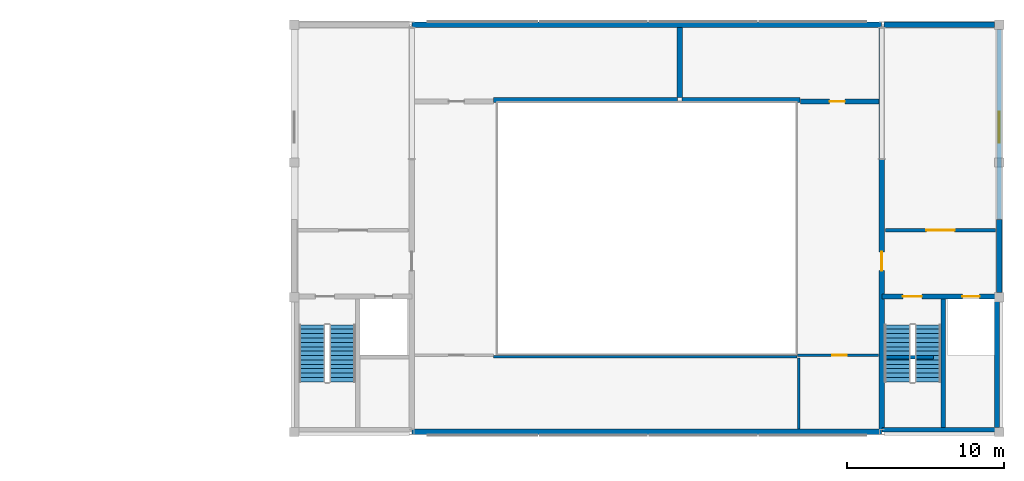
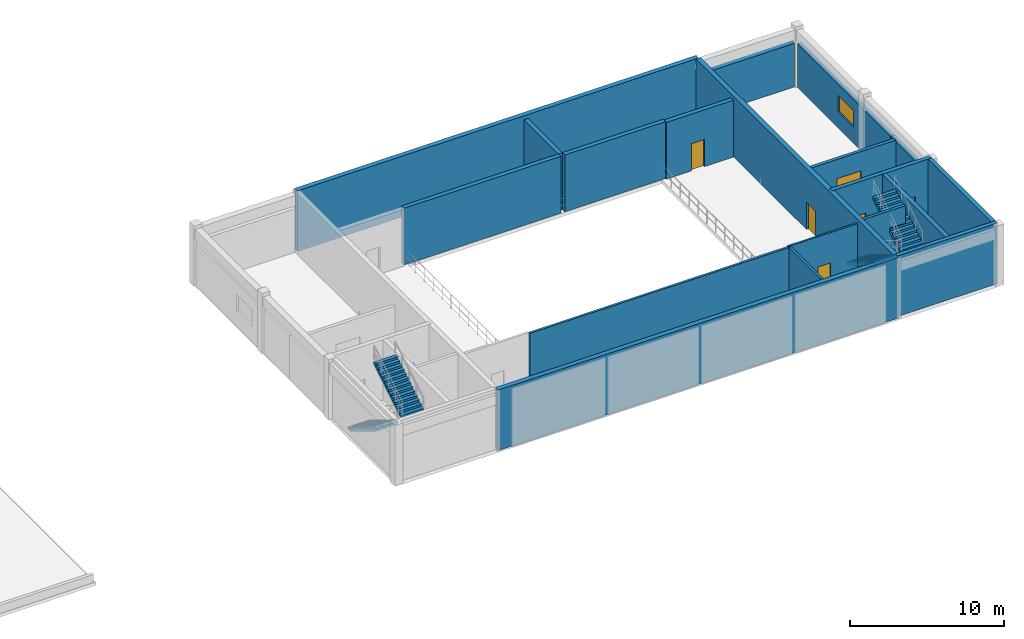
# One storey, part 7 of 9: 19 walls, 6 doors, 4 stair flights, 1 window, 7 openings, 2 elements without a shape of their own.
"""IFC4 building model written with IfcOpenShell, lengths in metres."""

from ifc_helpers import new_model, si_unit, direction, frame, frame_2d, origin, place, context, subcontext, project, spatial, polyline, rectangle, outline, extrude, material, layer, layer_set, type_object, element, fill, aggregate, save


model = new_model("IFC4")

# Units and contexts
model_context = context("Model", 3, precision=1e-05, world=origin(), true_north=direction((0.0, 1.0)))
body_context = subcontext(model_context, "Body", "Model", "MODEL_VIEW")
ifc_project = project(units=[si_unit("LENGTHUNIT", "METRE"), si_unit("AREAUNIT", "SQUARE_METRE"), si_unit("VOLUMEUNIT", "CUBIC_METRE"), si_unit("PLANEANGLEUNIT", "RADIAN"), si_unit("MASSUNIT", "GRAM", prefix="KILO")], contexts=[model_context])

# Site, building, storey
site_placement = place(None, origin())
site = spatial("IfcSite", under=ifc_project, at=site_placement, CompositionType="ELEMENT")
building_placement = place(site_placement, origin())
building = spatial("IfcBuilding", under=site, at=building_placement, Name="Muzn Square Opera House", CompositionType="ELEMENT")
storey_placement = place(building_placement, frame((0.0, 0.0, 23.39990234375)))
storey = spatial("IfcBuildingStorey", under=building, at=storey_placement, Name="L05", CompositionType="ELEMENT", Elevation=23.39990234375)

# Wall
ifc_material_1 = material(Name="Acoustic gypsum stud partition", Category="gypsum")
ifc_layer_1 = layer(ifc_material_1, 0.320068359375, Name="Acoustic gypsum stud partition", Category="gypsum")
ifc_layer_set_1 = layer_set([ifc_layer_1], Name="Acoustic gypsum stud partition")
wall_type_1 = type_object("IfcWallType", Name="Acoustic Studio Double Wall 320mm", PredefinedType="PARTITIONING", material=ifc_layer_set_1)
wall_1_placement = place(storey_placement, frame((90.10009765625, 93.945068359375, 0.0), z_axis=(0.0, 0.0, 1.0), x_axis=(0.0, 1.0, 0.0)))
element("IfcWall", 1, at=wall_1_placement, inside=storey, type_object=wall_type_1, Name="Interior Partition PW-L05-0416", PredefinedType="PARTITIONING", context=body_context, shape_type="SweptSolid", body=[
    extrude(rectangle(XDim=4.474853515625, YDim=0.320068359375, at=frame_2d((2.2373046875, 0.0))), origin(), (0.0, 0.0, 1.0), 4.5),
])

# Wall, opening, door
wall_2_placement = place(storey_placement, frame((97.800048828125, 93.699951171875, 0.0), z_axis=(0.0, 0.0, 1.0), x_axis=(1.0, 0.0, 0.0)))
wall_2 = element("IfcWall", 2, at=wall_2_placement, inside=storey, type_object=wall_type_1, Name="Interior Partition PW-L05-0418", PredefinedType="PARTITIONING", context=body_context, shape_type="SweptSolid", body=[
    extrude(rectangle(XDim=5.02001953125, YDim=0.320068359375, at=frame_2d((2.510009765625, 0.0))), origin(), (0.0, 0.0, 1.0), 4.5),
])
opening_1_placement = place(wall_2_placement, frame((1.860107421875, 0.0, 0.0)))
opening_1 = element("IfcOpeningElement", 3, at=opening_1_placement, cuts=wall_2, Name="Opening DR-TS98", PredefinedType="OPENING", context=body_context, shape_type="SweptSolid", body=[
    extrude(rectangle(XDim=0.97998046875, YDim=2.14990234375, at=frame_2d((0.489990234375, 1.074951171875))), frame((0.0, 0.169921875, 0.0), z_axis=(0.0, -1.0, 0.0), x_axis=(1.0, 0.0, 0.0)), (0.0, 0.0, 1.0), 0.340087890625),
])
ifc_material_2 = material(Name="Acoustic hardwood leaf", Category="wood")
door_type_1 = type_object("IfcDoorType", Name="Technical Studio Door 980x2150", OperationType="NOTDEFINED", PredefinedType="DOOR", material=ifc_material_2)
door_1_placement = place(opening_1_placement, origin())
door_1 = element("IfcDoor", 4, at=door_1_placement, inside=storey, type_object=door_type_1, Name="Followspot and Projection Studio Door DR-L05-0128", OperationType="SINGLE_SWING_LEFT", OverallHeight=2.14990234375, OverallWidth=0.97998046875, PredefinedType="DOOR", context=body_context, shape_type="SweptSolid", body=[
    extrude(rectangle(XDim=0.97998046875, YDim=2.14990234375, at=frame_2d((0.489990234375, 1.074951171875))), frame((0.0, 0.02490234375, 0.0), z_axis=(0.0, -1.0, 0.0), x_axis=(1.0, 0.0, 0.0)), (0.0, 0.0, 1.0), 0.050048828125),
])
fill(opening_1, door_1)

# Walls
wall_3_placement = place(storey_placement, frame((78.219970703125, 93.800048828125, 0.0), z_axis=(0.0, 0.0, 1.0), x_axis=(1.0, 0.0, 0.0)))
element("IfcWall", 5, at=wall_3_placement, inside=storey, type_object=wall_type_1, Name="Room Enclosure Partition PW-L05-0421", PredefinedType="PARTITIONING", context=body_context, shape_type="SweptSolid", body=[
    extrude(rectangle(XDim=11.735107421875, YDim=0.320068359375, at=frame_2d((5.86767578125, 0.0))), origin(), (0.0, 0.0, 1.0), 4.5),
])
wall_4_placement = place(storey_placement, frame((90.2451171875, 93.800048828125, 0.0), z_axis=(0.0, 0.0, 1.0), x_axis=(1.0, 0.0, 0.0)))
element("IfcWall", 6, at=wall_4_placement, inside=storey, type_object=wall_type_1, Name="Room Enclosure Partition PW-L05-0422", PredefinedType="PARTITIONING", context=body_context, shape_type="SweptSolid", body=[
    extrude(rectangle(XDim=7.534912109375, YDim=0.320068359375, at=frame_2d((3.767578125, 0.0))), origin(), (0.0, 0.0, 1.0), 4.5),
])
ifc_material_3 = material(Name="Concrete C45/55", Category="concrete")
ifc_layer_2 = layer(ifc_material_3, 0.300048828125, Name="Concrete C45/55", Category="concrete")
ifc_layer_set_2 = layer_set([ifc_layer_2], Name="Concrete C45/55")
wall_type_2 = type_object("IfcWallType", Name="Core Shear Wall 300mm", PredefinedType="SHEAR", material=ifc_layer_set_2)
for number, where, z_axis, x_axis, name in (
    (7, (110.35009765625, 72.89990234375, 0.0), (0.0, 0.0, 1.0), (0.0, 1.0, 0.0), "Core C2 Shear Wall SW-C2-L05-E"),
    (8, (106.919921875, 72.89990234375, 0.0), (0.0, 0.0, 1.0), (0.0, 1.0, 0.0), "Core C2 Shear Wall SW-C2-L05-DIV"),
):
    element("IfcWall", number, at=place(storey_placement, frame(where, z_axis=z_axis, x_axis=x_axis)), inside=storey, type_object=wall_type_2, Name=name, PredefinedType="SHEAR", context=body_context, shape_type="SweptSolid", body=[
        extrude(rectangle(XDim=8.2001953125, YDim=0.300048828125, at=frame_2d((4.10009765625, 0.0))), origin(), (0.0, 0.0, 1.0), 4.800048828125),
    ])

# Wall, openings, doors
wall_5_placement = place(storey_placement, frame((103.0, 81.25, 0.0), z_axis=(0.0, 0.0, 1.0), x_axis=(1.0, 0.0, 0.0)))
wall_5 = element("IfcWall", 9, at=wall_5_placement, inside=storey, type_object=wall_type_2, Name="Core C2 Front Shear Wall L05", PredefinedType="SHEAR", context=body_context, shape_type="SweptSolid", body=[
    extrude(rectangle(XDim=7.5, YDim=0.300048828125, at=frame_2d((3.75, 0.0))), origin(), (0.0, 0.0, 1.0), 4.800048828125),
])
opening_2_placement = place(wall_5_placement, frame((1.35009765625, 0.0, 0.0)))
opening_2 = element("IfcOpeningElement", 10, at=opening_2_placement, cuts=wall_5, Name="Opening DR-ST12", PredefinedType="OPENING", context=body_context, shape_type="SweptSolid", body=[
    extrude(rectangle(XDim=1.199951171875, YDim=2.14990234375, at=frame_2d((0.60009765625, 1.074951171875))), frame((0.0, 0.159912109375, 0.0), z_axis=(0.0, -1.0, 0.0), x_axis=(1.0, 0.0, 0.0)), (0.0, 0.0, 1.0), 0.320068359375),
])
opening_3_placement = place(wall_5_placement, frame((5.14990234375, 0.0, 0.0)))
opening_3 = element("IfcOpeningElement", 11, at=opening_3_placement, cuts=wall_5, Name="Opening LD-01", PredefinedType="OPENING", context=body_context, shape_type="SweptSolid", body=[
    extrude(rectangle(XDim=1.10009765625, YDim=2.14990234375, at=frame_2d((0.550048828125, 1.074951171875))), frame((0.0, 0.159912109375, 0.0), z_axis=(0.0, -1.0, 0.0), x_axis=(1.0, 0.0, 0.0)), (0.0, 0.0, 1.0), 0.320068359375),
])
ifc_material_4 = material(Name="Galvanised painted steel leaf", Category="metal")
door_type_2 = type_object("IfcDoorType", Name="Core Stair Fire Door 1200x2150", OperationType="NOTDEFINED", PredefinedType="DOOR", material=ifc_material_4)
door_2_placement = place(opening_2_placement, origin())
door_2 = element("IfcDoor", 12, at=door_2_placement, inside=storey, type_object=door_type_2, Name="Core C2 Stair Door L05", OperationType="SINGLE_SWING_LEFT", OverallHeight=2.14990234375, OverallWidth=1.199951171875, PredefinedType="DOOR", context=body_context, shape_type="SweptSolid", body=[
    extrude(rectangle(XDim=1.199951171875, YDim=2.14990234375, at=frame_2d((0.60009765625, 1.074951171875))), frame((0.0, 0.02490234375, 0.0), z_axis=(0.0, -1.0, 0.0), x_axis=(1.0, 0.0, 0.0)), (0.0, 0.0, 1.0), 0.050048828125),
])
fill(opening_2, door_2)
ifc_material_5 = material(Name="Brushed stainless steel", Category="metal")
door_type_3 = type_object("IfcDoorType", Name="Lift Landing Sliding Door 1100x2150", OperationType="SLIDING_TO_LEFT", PredefinedType="DOOR", material=ifc_material_5)
door_3_placement = place(opening_3_placement, origin())
door_3 = element("IfcDoor", 13, at=door_3_placement, inside=storey, type_object=door_type_3, Name="Lift FFL-2 Sliding Landing Door L05", OperationType="SLIDING_TO_LEFT", OverallHeight=2.14990234375, OverallWidth=1.10009765625, PredefinedType="DOOR", context=body_context, shape_type="SweptSolid", body=[
    extrude(rectangle(XDim=1.10009765625, YDim=2.14990234375, at=frame_2d((0.550048828125, 1.074951171875))), frame((0.0, 0.02490234375, 0.0), z_axis=(0.0, -1.0, 0.0), x_axis=(1.0, 0.0, 0.0)), (0.0, 0.0, 1.0), 0.050048828125),
])
fill(opening_3, door_3)

# Wall
wall_6_placement = place(storey_placement, frame((103.014892578125, 72.75, 0.0), z_axis=(0.0, 0.0, 1.0), x_axis=(1.0, 0.0, 0.0)))
element("IfcWall", 14, at=wall_6_placement, inside=storey, type_object=wall_type_2, Name="Core C2 Shear Wall SW-C2-L05-S", PredefinedType="SHEAR", context=body_context, shape_type="SweptSolid", body=[
    extrude(rectangle(XDim=7.485107421875, YDim=0.300048828125, at=frame_2d((3.74267578125, 0.0))), origin(), (0.0, 0.0, 1.0), 4.800048828125),
])

# Wall, opening, window
ifc_material_6 = material(Name="Concrete C40/50", Category="concrete")
ifc_layer_3 = layer(ifc_material_6, 0.31005859375, Name="Concrete C40/50", Category="concrete")
ifc_layer_set_3 = layer_set([ifc_layer_3], Name="Concrete C40/50")
wall_type_3 = type_object("IfcWallType", Name="Exterior Gallery Facade Wall 310mm", PredefinedType="SOLIDWALL", material=ifc_layer_set_3)
wall_7_placement = place(storey_placement, frame((110.5, 86.199951171875, 0.0), z_axis=(0.0, 0.0, 1.0), x_axis=(0.0, 1.0, 0.0)))
wall_7 = element("IfcWall", 15, at=wall_7_placement, inside=storey, type_object=wall_type_3, Name="Exterior Facade Wall EW-L05-101", PredefinedType="SOLIDWALL", context=body_context, shape_type="SweptSolid", body=[
    extrude(rectangle(XDim=12.10009765625, YDim=0.31005859375, at=frame_2d((6.050048828125, 0.0))), origin(), (0.0, 0.0, 1.0), 3.4501953125),
])
opening_4_placement = place(wall_7_placement, frame((4.85009765625, 0.0, 1.25)))
opening_4 = element("IfcOpeningElement", 16, at=opening_4_placement, cuts=wall_7, Name="Opening WN-T2013", PredefinedType="OPENING", context=body_context, shape_type="SweptSolid", body=[
    extrude(rectangle(XDim=2.0, YDim=1.300048828125, at=frame_2d((1.0, 0.64990234375))), frame((0.0, 0.1650390625, 0.0), z_axis=(0.0, -1.0, 0.0), x_axis=(1.0, 0.0, 0.0)), (0.0, 0.0, 1.0), 0.330078125),
])
ifc_material_7 = material(Name="Low-E laminated acoustic double glazing", Category="glass")
window_type = type_object("IfcWindowType", Name="Fly Gallery Clerestory Window 2000x1300", PartitioningType="DOUBLE_PANEL_HORIZONTAL", PredefinedType="WINDOW", material=ifc_material_7)
window_placement = place(opening_4_placement, origin())
window = element("IfcWindow", 17, at=window_placement, inside=storey, type_object=window_type, Name="Fly Gallery Clerestory Window 2000x1300 EW-L05-101-WN01", OverallHeight=1.300048828125, OverallWidth=2.0, PartitioningType="SINGLE_PANEL", PredefinedType="WINDOW", context=body_context, shape_type="SweptSolid", body=[
    extrude(rectangle(XDim=2.0, YDim=1.300048828125, at=frame_2d((1.0, 0.64990234375))), frame((0.0, 0.030029296875, 0.0), z_axis=(0.0, -1.0, 0.0), x_axis=(1.0, 0.0, 0.0)), (0.0, 0.0, 1.0), 0.06005859375),
])
fill(opening_4, window)

# Walls
ifc_layer_4 = layer(ifc_material_6, 0.340087890625, Name="Concrete C40/50", Category="concrete")
ifc_layer_set_4 = layer_set([ifc_layer_4], Name="Concrete C40/50")
wall_type_4 = type_object("IfcWallType", Name="Exterior Insulated Spandrel Wall 340mm", PredefinedType="SOLIDWALL", material=ifc_layer_set_4)
wall_8_placement = place(storey_placement, frame((103.14990234375, 98.60009765625, 0.0), z_axis=(0.0, 0.0, 1.0), x_axis=(1.0, 0.0, 0.0)))
element("IfcWall", 18, at=wall_8_placement, inside=storey, type_object=wall_type_4, Name="Exterior Facade Wall EW-L05-280", PredefinedType="SOLIDWALL", context=body_context, shape_type="SweptSolid", body=[
    extrude(rectangle(XDim=7.050048828125, YDim=0.340087890625, at=frame_2d((3.52490234375, 0.0))), origin(), (0.0, 0.0, 1.0), 3.4501953125),
])
wall_9_placement = place(storey_placement, frame((110.5, 81.5, 0.0), z_axis=(0.0, 0.0, 1.0), x_axis=(0.0, 1.0, 0.0)))
element("IfcWall", 19, at=wall_9_placement, inside=storey, type_object=wall_type_4, Name="Exterior Facade Wall EW-L05-278", PredefinedType="SOLIDWALL", context=body_context, shape_type="SweptSolid", body=[
    extrude(rectangle(XDim=4.679931640625, YDim=0.340087890625, at=frame_2d((2.33984375, 0.0))), origin(), (0.0, 0.0, 1.0), 3.4501953125),
])

# Wall, opening, door
ifc_layer_5 = layer(ifc_material_6, 0.239990234375, Name="Concrete C40/50", Category="concrete")
ifc_layer_set_5 = layer_set([ifc_layer_5], Name="Concrete C40/50")
wall_type_5 = type_object("IfcWallType", Name="Firefighting Lobby Wall 240mm", PredefinedType="SOLIDWALL", material=ifc_layer_set_5)
wall_10_placement = place(storey_placement, frame((103.239990234375, 85.47998046875, 0.0), z_axis=(0.0, 0.0, 1.0), x_axis=(1.0, 0.0, 0.0)))
wall_10 = element("IfcWall", 20, at=wall_10_placement, inside=storey, type_object=wall_type_5, Name="Lobby C2 Enclosure Wall L05", PredefinedType="SOLIDWALL", context=body_context, shape_type="SweptSolid", body=[
    extrude(rectangle(XDim=7.02001953125, YDim=0.239990234375, at=frame_2d((3.510009765625, 0.0))), origin(), (0.0, 0.0, 1.0), 3.7001953125),
])
opening_5_placement = place(wall_10_placement, frame((2.610107421875, 0.0, 0.0)))
opening_5 = element("IfcOpeningElement", 21, at=opening_5_placement, cuts=wall_10, Name="Opening DR-FL18", PredefinedType="OPENING", context=body_context, shape_type="SweptSolid", body=[
    extrude(rectangle(XDim=1.800048828125, YDim=2.179931640625, at=frame_2d((0.89990234375, 1.08984375))), frame((0.0, 0.1298828125, 0.0), z_axis=(0.0, -1.0, 0.0), x_axis=(1.0, 0.0, 0.0)), (0.0, 0.0, 1.0), 0.260009765625),
])
door_type_4 = type_object("IfcDoorType", Name="Firefighting Lobby Double Door 1800x2180", OperationType="DOUBLE_DOOR_SINGLE_SWING", PredefinedType="DOOR", material=ifc_material_4)
door_4_placement = place(opening_5_placement, origin())
door_4 = element("IfcDoor", 22, at=door_4_placement, inside=storey, type_object=door_type_4, Name="Lobby C2 Fire Door L05", OperationType="DOUBLE_DOOR_SINGLE_SWING", OverallHeight=2.179931640625, OverallWidth=1.800048828125, PredefinedType="DOOR", context=body_context, shape_type="SweptSolid", body=[
    extrude(rectangle(XDim=1.800048828125, YDim=2.179931640625, at=frame_2d((0.89990234375, 1.08984375))), frame((0.0, 0.02490234375, 0.0), z_axis=(0.0, -1.0, 0.0), x_axis=(1.0, 0.0, 0.0)), (0.0, 0.0, 1.0), 0.050048828125),
])
fill(opening_5, door_4)

ifc_layer_6 = layer(ifc_material_3, 0.35009765625, Name="Concrete C45/55", Category="concrete")
ifc_layer_set_6 = layer_set([ifc_layer_6], Name="Concrete C45/55")
wall_type_6 = type_object("IfcWallType", Name="Fly Tower Shear Wall 350mm", PredefinedType="SHEAR", material=ifc_layer_set_6)
wall_11_placement = place(storey_placement, frame((103.0, 72.77001953125, 0.0), z_axis=(0.0, 0.0, 1.0), x_axis=(0.0, 1.0, 0.0)))
wall_11 = element("IfcWall", 23, at=wall_11_placement, inside=storey, type_object=wall_type_6, Name="Fly Tower Shear Wall FTW-L05-E", PredefinedType="SHEAR", context=body_context, shape_type="SweptSolid", body=[
    extrude(rectangle(XDim=25.659912109375, YDim=0.35009765625, at=frame_2d((12.830078125, 0.0))), origin(), (0.0, 0.0, 1.0), 4.800048828125),
])
opening_6_placement = place(wall_11_placement, frame((10.1298828125, 0.0, 0.0)))
opening_6 = element("IfcOpeningElement", 24, at=opening_6_placement, cuts=wall_11, Name="Opening DR-ST12", PredefinedType="OPENING", context=body_context, shape_type="SweptSolid", body=[
    extrude(rectangle(XDim=1.199951171875, YDim=2.14990234375, at=frame_2d((0.60009765625, 1.074951171875))), frame((0.0, 0.18505859375, 0.0), z_axis=(0.0, -1.0, 0.0), x_axis=(1.0, 0.0, 0.0)), (0.0, 0.0, 1.0), 0.3701171875),
])
door_5_placement = place(opening_6_placement, origin())
door_5 = element("IfcDoor", 25, at=door_5_placement, inside=storey, type_object=door_type_2, Name="Lobby C2 Side Door W L05", OperationType="SINGLE_SWING_RIGHT", OverallHeight=2.14990234375, OverallWidth=1.199951171875, PredefinedType="DOOR", context=body_context, shape_type="SweptSolid", body=[
    extrude(rectangle(XDim=1.199951171875, YDim=2.14990234375, at=frame_2d((0.60009765625, 1.074951171875))), frame((0.0, 0.02490234375, 0.0), z_axis=(0.0, -1.0, 0.0), x_axis=(1.0, 0.0, 0.0)), (0.0, 0.0, 1.0), 0.050048828125),
])
fill(opening_6, door_5)

# Walls
for number, where, z_axis, x_axis, name in (
    (26, (73.0048828125, 72.60009765625, 0.0), (0.0, 0.0, 1.0), (1.0, 0.0, 0.0), "Fly Tower Shear Wall FTW-L05-S"),
    (27, (73.0048828125, 98.60009765625, 0.0), (0.0, 0.0, 1.0), (1.0, 0.0, 0.0), "Fly Tower Shear Wall FTW-L05-N"),
):
    element("IfcWall", number, at=place(storey_placement, frame(where, z_axis=z_axis, x_axis=x_axis)), inside=storey, type_object=wall_type_6, Name=name, PredefinedType="SHEAR", context=body_context, shape_type="SweptSolid", body=[
        extrude(rectangle(XDim=29.990234375, YDim=0.35009765625, at=frame_2d((14.9951171875, 0.0))), origin(), (0.0, 0.0, 1.0), 4.800048828125),
    ])
ifc_layer_7 = layer(ifc_material_1, 0.169921875, Name="Acoustic gypsum stud partition", Category="gypsum")
ifc_layer_set_7 = layer_set([ifc_layer_7], Name="Acoustic gypsum stud partition")
wall_type_7 = type_object("IfcWallType", Name="Gallery Partition 170mm", PredefinedType="PARTITIONING", material=ifc_layer_set_7)
wall_12_placement = place(storey_placement, frame((97.699951171875, 72.780029296875, 0.0), z_axis=(0.0, 0.0, 1.0), x_axis=(0.0, 1.0, 0.0)))
element("IfcWall", 28, at=wall_12_placement, inside=storey, type_object=wall_type_7, Name="Interior Partition PW-L05-0414", PredefinedType="PARTITIONING", context=body_context, shape_type="SweptSolid", body=[
    extrude(rectangle(XDim=4.550048828125, YDim=0.169921875, at=frame_2d((2.27490234375, 0.0))), origin(), (0.0, 0.0, 1.0), 4.5),
])
wall_13_placement = place(storey_placement, frame((78.219970703125, 77.39990234375, 0.0), z_axis=(0.0, 0.0, 1.0), x_axis=(1.0, 0.0, 0.0)))
element("IfcWall", 29, at=wall_13_placement, inside=storey, type_object=wall_type_7, Name="Room Enclosure Partition PW-L05-0420", PredefinedType="PARTITIONING", context=body_context, shape_type="SweptSolid", body=[
    extrude(rectangle(XDim=19.364990234375, YDim=0.169921875, at=frame_2d((9.6826171875, 0.0))), origin(), (0.0, 0.0, 1.0), 4.5),
])
ifc_layer_8 = layer(ifc_material_6, 0.219970703125, Name="Concrete C40/50", Category="concrete")
ifc_layer_set_8 = layer_set([ifc_layer_8], Name="Concrete C40/50")
wall_type_8 = type_object("IfcWallType", Name="Lift Lobby Wall 220mm", PredefinedType="SOLIDWALL", material=ifc_layer_set_8)
wall_14_placement = place(storey_placement, frame((103.179931640625, 77.3798828125, 0.0), z_axis=(0.0, 0.0, 1.0), x_axis=(1.0, 0.0, 0.0)))
element("IfcWall", 30, at=wall_14_placement, inside=storey, type_object=wall_type_8, Name="Core C2 Lift Shaft South Wall L05", PredefinedType="SOLIDWALL", context=body_context, shape_type="SweptSolid", body=[
    extrude(rectangle(XDim=3.1201171875, YDim=0.219970703125, at=frame_2d((1.56005859375, 0.0))), origin(), (0.0, 0.0, 1.0), 4.800048828125),
])

# Wall, opening, door
ifc_layer_9 = layer(ifc_material_1, 0.139892578125, Name="Acoustic gypsum stud partition", Category="gypsum")
ifc_layer_set_9 = layer_set([ifc_layer_9], Name="Acoustic gypsum stud partition")
wall_type_9 = type_object("IfcWallType", Name="Wet Room Tile Partition 140mm", PredefinedType="PARTITIONING", material=ifc_layer_set_9)
wall_15_placement = place(storey_placement, frame((97.60498046875, 77.5, 0.0), z_axis=(0.0, 0.0, 1.0), x_axis=(1.0, 0.0, 0.0)))
wall_15 = element("IfcWall", 31, at=wall_15_placement, inside=storey, type_object=wall_type_9, Name="Interior Partition PW-L05-0419", PredefinedType="PARTITIONING", context=body_context, shape_type="SweptSolid", body=[
    extrude(rectangle(XDim=5.195068359375, YDim=0.139892578125, at=frame_2d((2.59765625, 0.0))), origin(), (0.0, 0.0, 1.0), 4.5),
])
opening_7_placement = place(wall_15_placement, frame((2.219970703125, 0.0, 0.0)))
opening_7 = element("IfcOpeningElement", 32, at=opening_7_placement, cuts=wall_15, Name="Opening DR-AW95", PredefinedType="OPENING", context=body_context, shape_type="SweptSolid", body=[
    extrude(rectangle(XDim=0.949951171875, YDim=2.10009765625, at=frame_2d((0.47509765625, 1.050048828125))), frame((0.0, 0.079833984375, 0.0), z_axis=(0.0, -1.0, 0.0), x_axis=(1.0, 0.0, 0.0)), (0.0, 0.0, 1.0), 0.159912109375),
])
door_type_5 = type_object("IfcDoorType", Name="Accessible WC Door 950x2100", OperationType="NOTDEFINED", PredefinedType="DOOR", material=ifc_material_2)
door_6_placement = place(opening_7_placement, origin())
door_6 = element("IfcDoor", 33, at=door_6_placement, inside=storey, type_object=door_type_5, Name="Fly Gallery Accessible WC Door DR-L05-0129", OperationType="SINGLE_SWING_RIGHT", OverallHeight=2.10009765625, OverallWidth=0.949951171875, PredefinedType="DOOR", context=body_context, shape_type="SweptSolid", body=[
    extrude(rectangle(XDim=0.949951171875, YDim=2.10009765625, at=frame_2d((0.47509765625, 1.050048828125))), frame((0.0, 0.02490234375, 0.0), z_axis=(0.0, -1.0, 0.0), x_axis=(1.0, 0.0, 0.0)), (0.0, 0.0, 1.0), 0.050048828125),
])
fill(opening_7, door_6)

# Stair, stair flights
stair_type = type_object("IfcStairType", Name="Core Escape Dogleg Stair", PredefinedType="HALF_TURN_STAIR", material=ifc_material_6)
stair_1_placement = place(storey_placement, origin())
stair_1 = element("IfcStair", 34, at=stair_1_placement, inside=storey, type_object=stair_type, Name="L05 Escape Stair ST-1", PredefinedType="HALF_TURN_STAIR")
stair_flight_type = type_object("IfcStairFlightType", Name="Core Stair Flight 1660mm", PredefinedType="STRAIGHT", material=ifc_material_6)
stair_flight_1_placement = place(storey_placement, frame((66.6298828125, 79.43994140625, 0.0), z_axis=(0.0, 0.0, 1.0), x_axis=(0.0, -1.0, 0.0)))
stair_flight_1 = element("IfcStairFlight", 35, at=stair_flight_1_placement, type_object=stair_flight_type, Name="ST-1 flight 1", NumberOfRisers=14, NumberOfTreads=13, PredefinedType="STRAIGHT", RiserHeight=0.171428571, TreadLength=0.28, context=body_context, shape_type="SweptSolid", body=[
    extrude(outline(polyline([(0.0, 0.0), (0.0, 0.17138671875), (0.280029296875, 0.17138671875), (0.280029296875, 0.3427734375), (0.56005859375, 0.3427734375), (0.56005859375, 0.514404296875), (0.840087890625, 0.514404296875), (0.840087890625, 0.685791015625), (1.1201171875, 0.685791015625), (1.1201171875, 0.857177734375), (1.39990234375, 0.857177734375), (1.39990234375, 1.028564453125), (1.679931640625, 1.028564453125), (1.679931640625, 1.199951171875), (1.9599609375, 1.199951171875), (1.9599609375, 1.371337890625), (2.239990234375, 1.371337890625), (2.239990234375, 1.54296875), (2.52001953125, 1.54296875), (2.52001953125, 1.71435546875), (2.800048828125, 1.71435546875), (2.800048828125, 1.8857421875), (3.080078125, 1.8857421875), (3.080078125, 2.05712890625), (3.360107421875, 2.05712890625), (3.360107421875, 2.228515625), (3.639892578125, 2.228515625), (3.639892578125, 2.39990234375), (3.639892578125, 2.017578125), (0.344482421875, 0.0), (0.0, 0.0)])), frame((0.0, 0.830078125, 0.0), z_axis=(0.0, -1.0, 0.0), x_axis=(1.0, 0.0, 0.0)), (0.0, 0.0, 1.0), 1.659912109375),
])
stair_flight_2_placement = place(storey_placement, frame((68.570068359375, 75.800048828125, 2.400146484375), z_axis=(0.0, 0.0, 1.0), x_axis=(0.0, 1.0, 0.0)))
stair_flight_2 = element("IfcStairFlight", 36, at=stair_flight_2_placement, type_object=stair_flight_type, Name="ST-1 flight 2", NumberOfRisers=14, NumberOfTreads=13, PredefinedType="STRAIGHT", RiserHeight=0.171428571, TreadLength=0.28, context=body_context, shape_type="SweptSolid", body=[
    extrude(outline(polyline([(0.0, 0.0), (0.0, 0.17138671875), (0.280029296875, 0.17138671875), (0.280029296875, 0.3427734375), (0.56005859375, 0.3427734375), (0.56005859375, 0.514404296875), (0.840087890625, 0.514404296875), (0.840087890625, 0.685791015625), (1.1201171875, 0.685791015625), (1.1201171875, 0.857177734375), (1.39990234375, 0.857177734375), (1.39990234375, 1.028564453125), (1.679931640625, 1.028564453125), (1.679931640625, 1.199951171875), (1.9599609375, 1.199951171875), (1.9599609375, 1.371337890625), (2.239990234375, 1.371337890625), (2.239990234375, 1.54296875), (2.52001953125, 1.54296875), (2.52001953125, 1.71435546875), (2.800048828125, 1.71435546875), (2.800048828125, 1.8857421875), (3.080078125, 1.8857421875), (3.080078125, 2.05712890625), (3.360107421875, 2.05712890625), (3.360107421875, 2.228515625), (3.639892578125, 2.228515625), (3.639892578125, 2.39990234375), (3.639892578125, 2.017578125), (0.344482421875, 0.0), (0.0, 0.0)])), frame((0.0, 0.830078125, 0.0), z_axis=(0.0, -1.0, 0.0), x_axis=(1.0, 0.0, 0.0)), (0.0, 0.0, 1.0), 1.659912109375),
])
aggregate(stair_1, [stair_flight_1, stair_flight_2])

stair_2_placement = place(storey_placement, origin())
stair_2 = element("IfcStair", 37, at=stair_2_placement, inside=storey, type_object=stair_type, Name="L05 Escape Stair ST-2", PredefinedType="HALF_TURN_STAIR")
stair_flight_3_placement = place(storey_placement, frame((104.0, 79.43994140625, 0.0), z_axis=(0.0, 0.0, 1.0), x_axis=(0.0, -1.0, 0.0)))
stair_flight_3 = element("IfcStairFlight", 38, at=stair_flight_3_placement, type_object=stair_flight_type, Name="ST-2 flight 1", NumberOfRisers=14, NumberOfTreads=13, PredefinedType="STRAIGHT", RiserHeight=0.171428571, TreadLength=0.28, context=body_context, shape_type="SweptSolid", body=[
    extrude(outline(polyline([(0.0, 0.0), (0.0, 0.17138671875), (0.280029296875, 0.17138671875), (0.280029296875, 0.3427734375), (0.56005859375, 0.3427734375), (0.56005859375, 0.514404296875), (0.840087890625, 0.514404296875), (0.840087890625, 0.685791015625), (1.1201171875, 0.685791015625), (1.1201171875, 0.857177734375), (1.39990234375, 0.857177734375), (1.39990234375, 1.028564453125), (1.679931640625, 1.028564453125), (1.679931640625, 1.199951171875), (1.9599609375, 1.199951171875), (1.9599609375, 1.371337890625), (2.239990234375, 1.371337890625), (2.239990234375, 1.54296875), (2.52001953125, 1.54296875), (2.52001953125, 1.71435546875), (2.800048828125, 1.71435546875), (2.800048828125, 1.8857421875), (3.080078125, 1.8857421875), (3.080078125, 2.05712890625), (3.360107421875, 2.05712890625), (3.360107421875, 2.228515625), (3.639892578125, 2.228515625), (3.639892578125, 2.39990234375), (3.639892578125, 2.017578125), (0.344482421875, 0.0), (0.0, 0.0)])), frame((0.0, 0.830078125, 0.0), z_axis=(0.0, -1.0, 0.0), x_axis=(1.0, 0.0, 0.0)), (0.0, 0.0, 1.0), 1.659912109375),
])
stair_flight_4_placement = place(storey_placement, frame((105.93994140625, 75.800048828125, 2.400146484375), z_axis=(0.0, 0.0, 1.0), x_axis=(0.0, 1.0, 0.0)))
stair_flight_4 = element("IfcStairFlight", 39, at=stair_flight_4_placement, type_object=stair_flight_type, Name="ST-2 flight 2", NumberOfRisers=14, NumberOfTreads=13, PredefinedType="STRAIGHT", RiserHeight=0.171428571, TreadLength=0.28, context=body_context, shape_type="SweptSolid", body=[
    extrude(outline(polyline([(0.0, 0.0), (0.0, 0.17138671875), (0.280029296875, 0.17138671875), (0.280029296875, 0.3427734375), (0.56005859375, 0.3427734375), (0.56005859375, 0.514404296875), (0.840087890625, 0.514404296875), (0.840087890625, 0.685791015625), (1.1201171875, 0.685791015625), (1.1201171875, 0.857177734375), (1.39990234375, 0.857177734375), (1.39990234375, 1.028564453125), (1.679931640625, 1.028564453125), (1.679931640625, 1.199951171875), (1.9599609375, 1.199951171875), (1.9599609375, 1.371337890625), (2.239990234375, 1.371337890625), (2.239990234375, 1.54296875), (2.52001953125, 1.54296875), (2.52001953125, 1.71435546875), (2.800048828125, 1.71435546875), (2.800048828125, 1.8857421875), (3.080078125, 1.8857421875), (3.080078125, 2.05712890625), (3.360107421875, 2.05712890625), (3.360107421875, 2.228515625), (3.639892578125, 2.228515625), (3.639892578125, 2.39990234375), (3.639892578125, 2.017578125), (0.344482421875, 0.0), (0.0, 0.0)])), frame((0.0, 0.830078125, 0.0), z_axis=(0.0, -1.0, 0.0), x_axis=(1.0, 0.0, 0.0)), (0.0, 0.0, 1.0), 1.659912109375),
])
aggregate(stair_2, [stair_flight_3, stair_flight_4])

save(model, "model.ifc")
